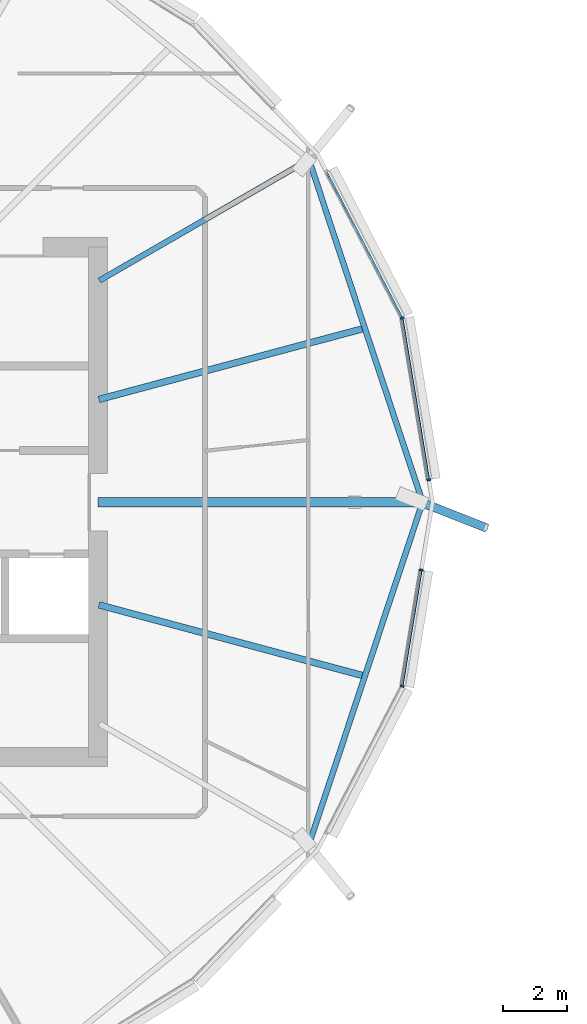
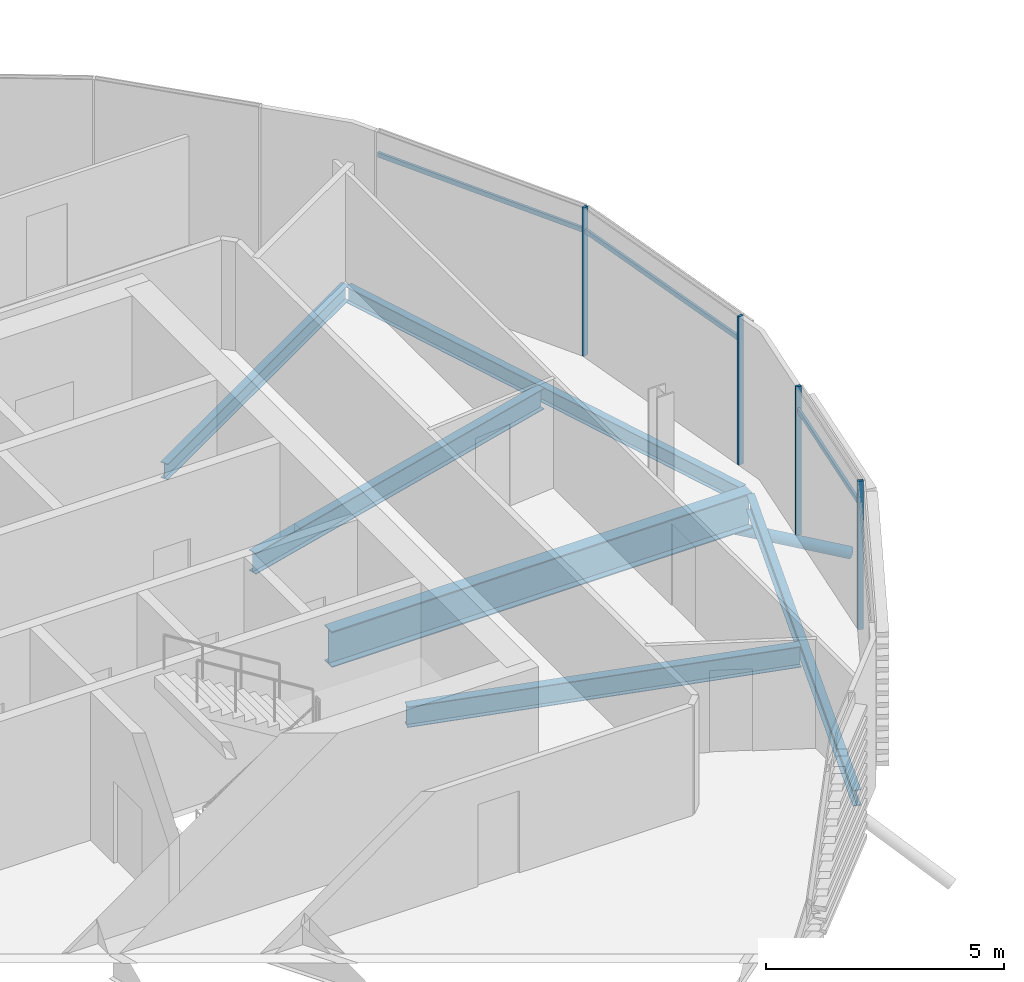
# One storey, part 8 of 37: 8 members, 6 beams, 1 element without a shape of its own.
"""IFC4 building model written with IfcOpenShell, lengths in metres."""

from ifc_helpers import new_model, si_unit, direction, frame, origin, origin_2d, place, context, subcontext, project, spatial, rectangle, hollow_circle, i_section, extrude, clip, halfspace, material, material_profile, profile_set, type_object, element, aggregate, save


model = new_model("IFC4")

# Units and contexts
model_context = context("Model", 3, precision=1e-05, world=origin(), true_north=direction((0.0, 1.0)))
body_context = subcontext(model_context, "Body", "Model", "MODEL_VIEW")
ifc_project = project(units=[si_unit("LENGTHUNIT", "METRE"), si_unit("AREAUNIT", "SQUARE_METRE"), si_unit("VOLUMEUNIT", "CUBIC_METRE"), si_unit("PLANEANGLEUNIT", "RADIAN"), si_unit("MASSUNIT", "GRAM", prefix="KILO")], contexts=[model_context])

# Site, building, storey
site_placement = place(None, origin())
site = spatial("IfcSite", under=ifc_project, at=site_placement, CompositionType="ELEMENT")
building_placement = place(site_placement, origin())
building = spatial("IfcBuilding", under=site, at=building_placement, Name="Rimbun Link Towers", CompositionType="ELEMENT")
storey_placement = place(building_placement, frame((0.0, 0.0, 162.699951171875)))
storey = spatial("IfcBuildingStorey", under=building, at=storey_placement, Name="L39", CompositionType="ELEMENT", Elevation=162.699951171875)

# Curtain wall, members
ifc_material_1 = material(Name="Aluminium 6063-T6 and low-iron glass", Category="aluminium")
curtain_wall_type = type_object("IfcCurtainWallType", Name="CW1-Z3 unitised vision wall (zone 3)", PredefinedType="NOTDEFINED", material=ifc_material_1)
curtain_wall_placement = place(storey_placement, origin())
curtain_wall = element("IfcCurtainWall", 1, at=curtain_wall_placement, inside=storey, type_object=curtain_wall_type, Name="CW1 L39 T1", PredefinedType="NOTDEFINED")
ifc_material_2 = material(Name="Aluminium 6063-T6", Category="aluminium")
ifc_material_profile_1 = material_profile(ifc_material_2, rectangle(XDim=0.1201171875, YDim=0.06005859375, at=origin_2d()), Name="MULLION 60X120")
ifc_profile_set_1 = profile_set([ifc_material_profile_1], Name="Aluminium 6063-T6")
member_type_1 = type_object("IfcMemberType", Name="CW1 mullion 60X120", PredefinedType="MULLION", material=ifc_profile_set_1)
member_1_placement = place(storey_placement, frame((-10.203857421875, 5.77685546875, 0.0), z_axis=(0.0, 0.0, 1.0), x_axis=(0.949160130292, 0.314793657917, 0.0)))
member_1 = element("IfcMember", 2, at=member_1_placement, type_object=member_type_1, Name="CW1 mullion", PredefinedType="MULLION", context=body_context, shape_type="SweptSolid", body=[
    extrude(rectangle(XDim=0.1201171875, YDim=0.06005859375, at=origin_2d()), origin(), (0.0, 0.0, 1.0), 3.800048828125),
])
member_2_placement = place(storey_placement, frame((-9.368408203125, 0.700439453125, 0.0), z_axis=(0.0, 0.0, 1.0), x_axis=(0.986749152222, 0.162253229824, 0.0)))
member_2 = element("IfcMember", 3, at=member_2_placement, type_object=member_type_1, Name="CW1 mullion", PredefinedType="MULLION", context=body_context, shape_type="SweptSolid", body=[
    extrude(rectangle(XDim=0.1201171875, YDim=0.06005859375, at=origin_2d()), origin(), (0.0, 0.0, 1.0), 3.800048828125),
])
member_3_placement = place(storey_placement, frame((-10.203857421875, -5.77685546875, 0.0), z_axis=(0.0, 0.0, 1.0), x_axis=(0.949160130292, -0.314793657917, 0.0)))
member_3 = element("IfcMember", 4, at=member_3_placement, type_object=member_type_1, Name="CW1 mullion", PredefinedType="MULLION", context=body_context, shape_type="SweptSolid", body=[
    extrude(rectangle(XDim=0.1201171875, YDim=0.06005859375, at=origin_2d()), origin(), (0.0, 0.0, 1.0), 3.800048828125),
])
member_4_placement = place(storey_placement, frame((-9.603759765625, -2.13134765625, 0.0), z_axis=(0.0, 0.0, 1.0), x_axis=(0.986749152222, -0.162253229824, 0.0)))
member_4 = element("IfcMember", 5, at=member_4_placement, type_object=member_type_1, Name="CW1 mullion", PredefinedType="MULLION", context=body_context, shape_type="SweptSolid", body=[
    extrude(rectangle(XDim=0.1201171875, YDim=0.06005859375, at=origin_2d()), origin(), (0.0, 0.0, 1.0), 3.800048828125),
])
ifc_material_3 = material(Name="Aluminium 6063-T6", Category="aluminium")
ifc_material_profile_2 = material_profile(ifc_material_3, rectangle(XDim=0.06005859375, YDim=0.1201171875, at=origin_2d()), Name="TRANSOM 60X120")
ifc_profile_set_2 = profile_set([ifc_material_profile_2], Name="Aluminium 6063-T6")
member_type_2 = type_object("IfcMemberType", Name="CW1 transom 60X120", PredefinedType="USERDEFINED", material=ifc_profile_set_2)
member_5_placement = place(storey_placement, frame((-10.19873046875, 5.73779296875, 3.199951171875), z_axis=(0.162253438061, -0.986749117982, 0.0), x_axis=(0.986749117982, 0.162253438061, 0.0)))
member_5 = element("IfcMember", 6, at=member_5_placement, type_object=member_type_2, Name="CW1 transom", ObjectType="TRANSOM", PredefinedType="USERDEFINED", context=body_context, shape_type="SweptSolid", body=[
    extrude(rectangle(XDim=0.06005859375, YDim=0.1201171875, at=origin_2d()), origin(), (0.0, 0.0, 1.0), 5.0751953125),
])
member_6_placement = place(storey_placement, frame((-12.56884765625, 10.344482421875, 3.199951171875), z_axis=(0.459568651835, -0.888142248883, 0.0), x_axis=(0.888142248883, 0.459568651835, 0.0)))
member_6 = element("IfcMember", 7, at=member_6_placement, type_object=member_type_2, Name="CW1 transom", ObjectType="TRANSOM", PredefinedType="USERDEFINED", context=body_context, shape_type="SweptSolid", body=[
    extrude(rectangle(XDim=0.06005859375, YDim=0.1201171875, at=origin_2d()), origin(), (0.0, 0.0, 1.0), 5.104248046875),
])
member_7_placement = place(storey_placement, frame((-9.610595703125, -2.16064453125, 3.199951171875), z_axis=(-0.162236243244, -0.986751945211, 0.0), x_axis=(0.986751945211, -0.162236243244, 0.0)))
member_7 = element("IfcMember", 8, at=member_7_placement, type_object=member_type_2, Name="CW1 transom", ObjectType="TRANSOM", PredefinedType="USERDEFINED", context=body_context, shape_type="SweptSolid", body=[
    extrude(rectangle(XDim=0.06005859375, YDim=0.1201171875, at=origin_2d()), origin(), (0.0, 0.0, 1.0), 3.625244140625),
])
aggregate(curtain_wall, [member_1, member_2, member_3, member_4, member_5, member_6, member_7])

# Member
ifc_material_4 = material(Name="Steel S355J2H", Category="steel")
ifc_material_profile_3 = material_profile(ifc_material_4, hollow_circle(Radius=0.136474609375, WallThickness=0.012451171875, at=origin_2d()), Name="CHS 273x12.5")
ifc_profile_set_3 = profile_set([ifc_material_profile_3], Name="Steel S355J2H")
member_type_3 = type_object("IfcMemberType", Name="Floor edge link CHS 273x12.5", PredefinedType="BRACE", material=ifc_profile_set_3)
member_8_placement = place(storey_placement, frame((-9.617431640625, 0.0, -1.196533203125), z_axis=(0.875314686889, -0.344830413746, -0.338992897673), x_axis=(0.366533238084, 0.930404957736, 0.0)))
element("IfcMember", 9, at=member_8_placement, inside=storey, type_object=member_type_3, Name="Floor edge link T1 L39 00", PredefinedType="BRACE", context=body_context, shape_type="Clipping", body=[
    clip(extrude(hollow_circle(Radius=0.136474609375, WallThickness=0.012451171875, at=origin_2d()), frame((0.0, 0.0, -0.787109375)), (0.0, 0.0, 1.0), 3.129150390625), halfspace(frame((0.0, 0.0, -0.372314453125), z_axis=(0.0, 0.9407889324, -0.338992897673)), False)),
])

# Beams
ifc_material_5 = material(Name="Steel S355J2", Category="steel")
ifc_material_profile_4 = material_profile(ifc_material_5, i_section(OverallWidth=0.177978515625, OverallDepth=0.406494140625, WebThickness=0.0078125, FlangeThickness=0.0126953125, at=origin_2d()), Name="UB 406x178x60")
ifc_profile_set_4 = profile_set([ifc_material_profile_4], Name="Steel S355J2")
beam_type_1 = type_object("IfcBeamType", Name="UB 406x178x60", PredefinedType="BEAM", material=ifc_profile_set_4)
beam_1_placement = place(storey_placement, frame((-19.70458984375, 6.954345703125, -0.353271484375), z_axis=(0.866013068262, 0.500021365143, 0.0), x_axis=(-0.500021365143, 0.866013068262, 0.0)))
element("IfcBeam", 10, at=beam_1_placement, inside=storey, type_object=beam_type_1, Name="Radial beam T1 L39 02", PredefinedType="BEAM", context=body_context, shape_type="SweptSolid", body=[
    extrude(i_section(OverallWidth=0.177978515625, OverallDepth=0.406494140625, WebThickness=0.0078125, FlangeThickness=0.0126953125, at=origin_2d()), origin(), (0.0, 0.0, 1.0), 7.588623046875),
])
for number, where, z_axis, x_axis, name in (
    (11, (-9.618408203125, 0.15380859375, -0.353271484375), (-0.31482486638, 0.949149779281, 0.0), (-0.949149779281, -0.31482486638, 0.0), "Edge beam T1 L39 00-02"),
    (12, (-13.103759765625, -10.66162109375, -0.353271484375), (0.31482486638, 0.949149779281, 0.0), (-0.949149779281, 0.31482486638, 0.0), "Edge beam T1 L39 22-00"),
):
    element("IfcBeam", number, at=place(storey_placement, frame(where, z_axis=z_axis, x_axis=x_axis)), inside=storey, type_object=beam_type_1, Name=name, PredefinedType="BEAM", context=body_context, shape_type="SweptSolid", body=[
        extrude(i_section(OverallWidth=0.177978515625, OverallDepth=0.406494140625, WebThickness=0.0078125, FlangeThickness=0.0126953125, at=origin_2d()), origin(), (0.0, 0.0, 1.0), 11.07080078125),
    ])
ifc_material_6 = material(Name="Steel S355J2", Category="steel")
ifc_material_profile_5 = material_profile(ifc_material_6, i_section(OverallWidth=0.209228515625, OverallDepth=0.533203125, WebThickness=0.010009765625, FlangeThickness=0.015625, at=origin_2d()), Name="UB 533x210x92")
ifc_profile_set_5 = profile_set([ifc_material_profile_5], Name="Steel S355J2")
beam_type_2 = type_object("IfcBeamType", Name="UB 533x210x92", PredefinedType="BEAM", material=ifc_profile_set_5)
for number, where, z_axis, x_axis, name in (
    (13, (-19.721923828125, 3.222900390625, -0.41650390625), (0.965926123949, 0.258817934217, 0.0), (-0.258817934217, 0.965926123949, 0.0), "Radial beam T1 L39 01"),
    (14, (-19.721923828125, -3.222900390625, -0.41650390625), (0.965926123949, -0.258817934217, 0.0), (0.258817934217, 0.965926123949, 0.0), "Radial beam T1 L39 23"),
):
    element("IfcBeam", number, at=place(storey_placement, frame(where, z_axis=z_axis, x_axis=x_axis)), inside=storey, type_object=beam_type_2, Name=name, PredefinedType="BEAM", context=body_context, shape_type="SweptSolid", body=[
        extrude(i_section(OverallWidth=0.209228515625, OverallDepth=0.533203125, WebThickness=0.010009765625, FlangeThickness=0.015625, at=origin_2d()), origin(), (0.0, 0.0, 1.0), 8.548095703125),
    ])
ifc_material_7 = material(Name="Steel S355J2", Category="steel")
ifc_material_profile_6 = material_profile(ifc_material_7, i_section(OverallWidth=0.305419921875, OverallDepth=0.91845703125, WebThickness=0.017333984375, FlangeThickness=0.02783203125, at=origin_2d()), Name="UB 914x305x253")
ifc_profile_set_6 = profile_set([ifc_material_profile_6], Name="Steel S355J2")
beam_type_3 = type_object("IfcBeamType", Name="UB 914x305x253", PredefinedType="BEAM", material=ifc_profile_set_6)
beam_2_placement = place(storey_placement, frame((-19.7490234375, 0.0, -0.609130859375), z_axis=(1.0, 0.0, 0.0), x_axis=(0.0, 1.0, 0.0)))
element("IfcBeam", 15, at=beam_2_placement, inside=storey, type_object=beam_type_3, Name="Radial beam T1 L39 00", PredefinedType="BEAM", context=body_context, shape_type="SweptSolid", body=[
    extrude(i_section(OverallWidth=0.305419921875, OverallDepth=0.91845703125, WebThickness=0.017333984375, FlangeThickness=0.02783203125, at=origin_2d()), origin(), (0.0, 0.0, 1.0), 10.181640625),
])

save(model, "model.ifc")
